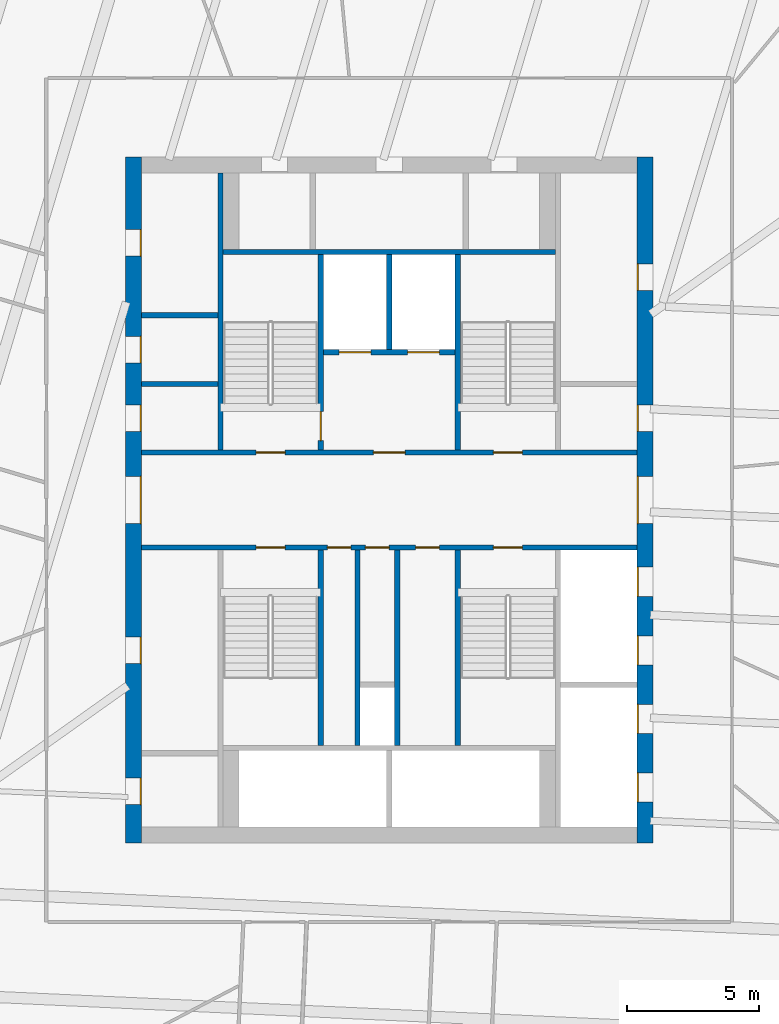
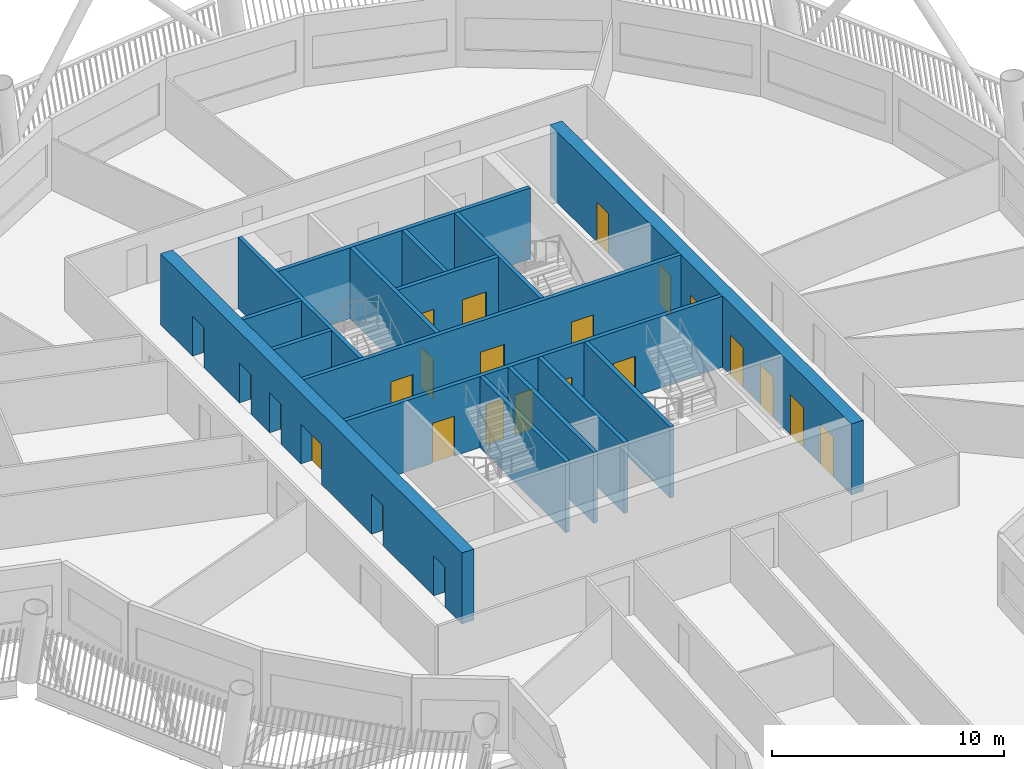
# One storey, part 5 of 24: 24 doors, 16 walls, 24 openings.
"""IFC4 building model written with IfcOpenShell, lengths in metres."""

from ifc_helpers import new_model, si_unit, direction, frame, frame_2d, origin, place, context, subcontext, project, spatial, rectangle, extrude, material, layer, layer_set, type_object, element, fill, save


model = new_model("IFC4")

# Units and contexts
model_context = context("Model", 3, precision=1e-05, world=origin(), true_north=direction((0.0, 1.0)))
body_context = subcontext(model_context, "Body", "Model", "MODEL_VIEW")
ifc_project = project(units=[si_unit("LENGTHUNIT", "METRE"), si_unit("AREAUNIT", "SQUARE_METRE"), si_unit("VOLUMEUNIT", "CUBIC_METRE"), si_unit("PLANEANGLEUNIT", "RADIAN"), si_unit("MASSUNIT", "GRAM", prefix="KILO")], contexts=[model_context])

# Site, building, storey
site_placement = place(None, origin())
site = spatial("IfcSite", under=ifc_project, at=site_placement, CompositionType="ELEMENT")
building_placement = place(site_placement, origin())
building = spatial("IfcBuilding", under=site, at=building_placement, Name="Tarsis Ring Headquarters", CompositionType="ELEMENT")
storey_placement = place(building_placement, frame((0.0, 0.0, 216.0)))
storey = spatial("IfcBuildingStorey", under=building, at=storey_placement, Name="L50", CompositionType="ELEMENT", Elevation=216.0)

# Walls
ifc_material_1 = material(Name="Blockwork", Category="masonry")
ifc_layer_1 = layer(ifc_material_1, 0.199951171875)
ifc_layer_set_1 = layer_set([ifc_layer_1], Name="Core blockwork wall 200")
wall_type_1 = type_object("IfcWallType", Name="Core blockwork wall 200", PredefinedType="PARTITIONING", material=ifc_layer_set_1)
for number, where, z_axis, x_axis, name in (
    (1, (-9.39990234375, 4.39990234375, 0.0), (0.0, 0.0, 1.0), (1.0, 0.0, 0.0), "Core partition WD5"),
    (2, (-9.39990234375, 7.0, 0.0), (0.0, 0.0, 1.0), (1.0, 0.0, 0.0), "Core partition WD6"),
):
    element("IfcWall", number, at=place(storey_placement, frame(where, z_axis=z_axis, x_axis=x_axis)), inside=storey, type_object=wall_type_1, Name=name, PredefinedType="PARTITIONING", context=body_context, shape_type="SweptSolid", body=[
        extrude(rectangle(XDim=2.89990234375, YDim=0.199951171875, at=frame_2d((1.449951171875, 0.0))), origin(), (0.0, 0.0, 1.0), 3.739990234375),
    ])
for number, where, z_axis, x_axis, name in (
    (3, (-1.199951171875, -9.300048828125, 0.0), (0.0, 0.0, 1.0), (0.0, 1.0, 0.0), "Core partition SV1"),
    (4, (0.300048828125, -9.300048828125, 0.0), (0.0, 0.0, 1.0), (0.0, 1.0, 0.0), "Core partition SV2"),
):
    element("IfcWall", number, at=place(storey_placement, frame(where, z_axis=z_axis, x_axis=x_axis)), inside=storey, type_object=wall_type_1, Name=name, PredefinedType="PARTITIONING", context=body_context, shape_type="SweptSolid", body=[
        extrude(rectangle(XDim=7.400146484375, YDim=0.199951171875, at=frame_2d((3.7001953125, 0.0))), origin(), (0.0, 0.0, 1.0), 3.739990234375),
    ])

# Wall, openings, doors
ifc_material_2 = material(Name="Concrete C50/60", Category="concrete")
ifc_layer_2 = layer(ifc_material_2, 0.60009765625)
ifc_layer_set_2 = layer_set([ifc_layer_2], Name="Core wall 600 C50/60")
wall_type_2 = type_object("IfcWallType", Name="Core wall 600 C50/60", PredefinedType="SHEAR", material=ifc_layer_set_2)
wall_1_placement = place(storey_placement, frame((-9.699951171875, -13.0, 0.0), z_axis=(0.0, 0.0, 1.0), x_axis=(0.0, 1.0, 0.0)))
wall_1 = element("IfcWall", 5, at=wall_1_placement, inside=storey, type_object=wall_type_2, Name="Core wall OW", PredefinedType="SHEAR", context=body_context, shape_type="SweptSolid", body=[
    extrude(rectangle(XDim=26.0, YDim=0.60009765625, at=frame_2d((13.0, 0.0))), origin(), (0.0, 0.0, 1.0), 3.739990234375),
])
opening_1_placement = place(wall_1_placement, frame((1.449951171875, 0.0, 0.0)))
opening_1 = element("IfcOpeningElement", 6, at=opening_1_placement, cuts=wall_1, Name="Opening L50-C01", PredefinedType="OPENING", context=body_context, shape_type="SweptSolid", body=[
    extrude(rectangle(XDim=1.0, YDim=2.10009765625, at=frame_2d((0.5, 1.050048828125))), frame((0.0, 0.31005859375, 0.0), z_axis=(0.0, -1.0, 0.0), x_axis=(1.0, 0.0, 0.0)), (0.0, 0.0, 1.0), 0.6201171875),
])
opening_2_placement = place(wall_1_placement, frame((6.800048828125, 0.0, 0.0)))
opening_2 = element("IfcOpeningElement", 7, at=opening_2_placement, cuts=wall_1, Name="Opening L50-C02", PredefinedType="OPENING", context=body_context, shape_type="SweptSolid", body=[
    extrude(rectangle(XDim=1.0, YDim=2.10009765625, at=frame_2d((0.5, 1.050048828125))), frame((0.0, 0.31005859375, 0.0), z_axis=(0.0, -1.0, 0.0), x_axis=(1.0, 0.0, 0.0)), (0.0, 0.0, 1.0), 0.6201171875),
])
opening_3_placement = place(wall_1_placement, frame((12.10009765625, 0.0, 0.0)))
opening_3 = element("IfcOpeningElement", 8, at=opening_3_placement, cuts=wall_1, Name="Opening L50-C03", PredefinedType="OPENING", context=body_context, shape_type="SweptSolid", body=[
    extrude(rectangle(XDim=1.800048828125, YDim=2.10009765625, at=frame_2d((0.89990234375, 1.050048828125))), frame((0.0, 0.31005859375, 0.0), z_axis=(0.0, -1.0, 0.0), x_axis=(1.0, 0.0, 0.0)), (0.0, 0.0, 1.0), 0.6201171875),
])
opening_4_placement = place(wall_1_placement, frame((15.60009765625, 0.0, 0.0)))
opening_4 = element("IfcOpeningElement", 9, at=opening_4_placement, cuts=wall_1, Name="Opening L50-C04", PredefinedType="OPENING", context=body_context, shape_type="SweptSolid", body=[
    extrude(rectangle(XDim=1.0, YDim=2.10009765625, at=frame_2d((0.5, 1.050048828125))), frame((0.0, 0.31005859375, 0.0), z_axis=(0.0, -1.0, 0.0), x_axis=(1.0, 0.0, 0.0)), (0.0, 0.0, 1.0), 0.6201171875),
])
opening_5_placement = place(wall_1_placement, frame((18.199951171875, 0.0, 0.0)))
opening_5 = element("IfcOpeningElement", 10, at=opening_5_placement, cuts=wall_1, Name="Opening L50-C05", PredefinedType="OPENING", context=body_context, shape_type="SweptSolid", body=[
    extrude(rectangle(XDim=1.0, YDim=2.10009765625, at=frame_2d((0.5, 1.050048828125))), frame((0.0, 0.31005859375, 0.0), z_axis=(0.0, -1.0, 0.0), x_axis=(1.0, 0.0, 0.0)), (0.0, 0.0, 1.0), 0.6201171875),
])
opening_6_placement = place(wall_1_placement, frame((22.25, 0.0, 0.0)))
opening_6 = element("IfcOpeningElement", 11, at=opening_6_placement, cuts=wall_1, Name="Opening L50-C06", PredefinedType="OPENING", context=body_context, shape_type="SweptSolid", body=[
    extrude(rectangle(XDim=1.0, YDim=2.10009765625, at=frame_2d((0.5, 1.050048828125))), frame((0.0, 0.31005859375, 0.0), z_axis=(0.0, -1.0, 0.0), x_axis=(1.0, 0.0, 0.0)), (0.0, 0.0, 1.0), 0.6201171875),
])
ifc_material_3 = material(Name="Steel S355", Category="steel")
door_type_1 = type_object("IfcDoorType", Name="Core entry door 1800x2100", OperationType="DOUBLE_DOOR_SINGLE_SWING", PredefinedType="DOOR", material=ifc_material_3)
door_1_placement = place(opening_3_placement, origin())
door_1 = element("IfcDoor", 12, at=door_1_placement, inside=storey, type_object=door_type_1, Name="Core entry door L50", OperationType="DOUBLE_DOOR_SINGLE_SWING", OverallHeight=2.10009765625, OverallWidth=1.800048828125, PredefinedType="DOOR", context=body_context, shape_type="SweptSolid", body=[
    extrude(rectangle(XDim=1.800048828125, YDim=2.10009765625, at=frame_2d((0.89990234375, 1.050048828125))), frame((0.0, -0.25, 0.0), z_axis=(0.0, -1.0, 0.0), x_axis=(1.0, 0.0, 0.0)), (0.0, 0.0, 1.0), 0.050048828125),
])
fill(opening_3, door_1)
door_type_2 = type_object("IfcDoorType", Name="Core room door 1000x2100", OperationType="SINGLE_SWING_LEFT", PredefinedType="DOOR", material=ifc_material_3)
door_2_placement = place(opening_1_placement, origin())
door_2 = element("IfcDoor", 13, at=door_2_placement, inside=storey, type_object=door_type_2, Name="Core room door L50", OperationType="SINGLE_SWING_LEFT", OverallHeight=2.10009765625, OverallWidth=1.0, PredefinedType="DOOR", context=body_context, shape_type="SweptSolid", body=[
    extrude(rectangle(XDim=1.0, YDim=2.10009765625, at=frame_2d((0.5, 1.050048828125))), frame((0.0, -0.25, 0.0), z_axis=(0.0, -1.0, 0.0), x_axis=(1.0, 0.0, 0.0)), (0.0, 0.0, 1.0), 0.050048828125),
])
fill(opening_1, door_2)
door_3_placement = place(opening_2_placement, origin())
door_3 = element("IfcDoor", 14, at=door_3_placement, inside=storey, type_object=door_type_2, Name="Core room door L50", OperationType="SINGLE_SWING_LEFT", OverallHeight=2.10009765625, OverallWidth=1.0, PredefinedType="DOOR", context=body_context, shape_type="SweptSolid", body=[
    extrude(rectangle(XDim=1.0, YDim=2.10009765625, at=frame_2d((0.5, 1.050048828125))), frame((0.0, -0.25, 0.0), z_axis=(0.0, -1.0, 0.0), x_axis=(1.0, 0.0, 0.0)), (0.0, 0.0, 1.0), 0.050048828125),
])
fill(opening_2, door_3)
door_4_placement = place(opening_4_placement, origin())
door_4 = element("IfcDoor", 15, at=door_4_placement, inside=storey, type_object=door_type_2, Name="Core room door L50", OperationType="SINGLE_SWING_LEFT", OverallHeight=2.10009765625, OverallWidth=1.0, PredefinedType="DOOR", context=body_context, shape_type="SweptSolid", body=[
    extrude(rectangle(XDim=1.0, YDim=2.10009765625, at=frame_2d((0.5, 1.050048828125))), frame((0.0, -0.25, 0.0), z_axis=(0.0, -1.0, 0.0), x_axis=(1.0, 0.0, 0.0)), (0.0, 0.0, 1.0), 0.050048828125),
])
fill(opening_4, door_4)
door_5_placement = place(opening_5_placement, origin())
door_5 = element("IfcDoor", 16, at=door_5_placement, inside=storey, type_object=door_type_2, Name="Core room door L50", OperationType="SINGLE_SWING_LEFT", OverallHeight=2.10009765625, OverallWidth=1.0, PredefinedType="DOOR", context=body_context, shape_type="SweptSolid", body=[
    extrude(rectangle(XDim=1.0, YDim=2.10009765625, at=frame_2d((0.5, 1.050048828125))), frame((0.0, -0.25, 0.0), z_axis=(0.0, -1.0, 0.0), x_axis=(1.0, 0.0, 0.0)), (0.0, 0.0, 1.0), 0.050048828125),
])
fill(opening_5, door_5)
door_6_placement = place(opening_6_placement, origin())
door_6 = element("IfcDoor", 17, at=door_6_placement, inside=storey, type_object=door_type_2, Name="Core room door L50", OperationType="SINGLE_SWING_LEFT", OverallHeight=2.10009765625, OverallWidth=1.0, PredefinedType="DOOR", context=body_context, shape_type="SweptSolid", body=[
    extrude(rectangle(XDim=1.0, YDim=2.10009765625, at=frame_2d((0.5, 1.050048828125))), frame((0.0, -0.25, 0.0), z_axis=(0.0, -1.0, 0.0), x_axis=(1.0, 0.0, 0.0)), (0.0, 0.0, 1.0), 0.050048828125),
])
fill(opening_6, door_6)

wall_2_placement = place(storey_placement, frame((9.699951171875, -13.0, 0.0), z_axis=(0.0, 0.0, 1.0), x_axis=(0.0, 1.0, 0.0)))
wall_2 = element("IfcWall", 18, at=wall_2_placement, inside=storey, type_object=wall_type_2, Name="Core wall OE", PredefinedType="SHEAR", context=body_context, shape_type="SweptSolid", body=[
    extrude(rectangle(XDim=26.0, YDim=0.60009765625, at=frame_2d((13.0, 0.0))), origin(), (0.0, 0.0, 1.0), 3.739990234375),
])
opening_7_placement = place(wall_2_placement, frame((1.550048828125, 0.0, 0.0)))
opening_7 = element("IfcOpeningElement", 19, at=opening_7_placement, cuts=wall_2, Name="Opening LD-MR1", PredefinedType="OPENING", context=body_context, shape_type="SweptSolid", body=[
    extrude(rectangle(XDim=1.10009765625, YDim=2.10009765625, at=frame_2d((0.550048828125, 1.050048828125))), frame((0.0, 0.31005859375, 0.0), z_axis=(0.0, -1.0, 0.0), x_axis=(1.0, 0.0, 0.0)), (0.0, 0.0, 1.0), 0.6201171875),
])
opening_8_placement = place(wall_2_placement, frame((4.14990234375, 0.0, 0.0)))
opening_8 = element("IfcOpeningElement", 20, at=opening_8_placement, cuts=wall_2, Name="Opening LD-MR2", PredefinedType="OPENING", context=body_context, shape_type="SweptSolid", body=[
    extrude(rectangle(XDim=1.10009765625, YDim=2.10009765625, at=frame_2d((0.550048828125, 1.050048828125))), frame((0.0, 0.31005859375, 0.0), z_axis=(0.0, -1.0, 0.0), x_axis=(1.0, 0.0, 0.0)), (0.0, 0.0, 1.0), 0.6201171875),
])
opening_9_placement = place(wall_2_placement, frame((6.75, 0.0, 0.0)))
opening_9 = element("IfcOpeningElement", 21, at=opening_9_placement, cuts=wall_2, Name="Opening LD-MR3", PredefinedType="OPENING", context=body_context, shape_type="SweptSolid", body=[
    extrude(rectangle(XDim=1.10009765625, YDim=2.10009765625, at=frame_2d((0.550048828125, 1.050048828125))), frame((0.0, 0.31005859375, 0.0), z_axis=(0.0, -1.0, 0.0), x_axis=(1.0, 0.0, 0.0)), (0.0, 0.0, 1.0), 0.6201171875),
])
opening_10_placement = place(wall_2_placement, frame((9.35009765625, 0.0, 0.0)))
opening_10 = element("IfcOpeningElement", 22, at=opening_10_placement, cuts=wall_2, Name="Opening LD-MR4", PredefinedType="OPENING", context=body_context, shape_type="SweptSolid", body=[
    extrude(rectangle(XDim=1.10009765625, YDim=2.10009765625, at=frame_2d((0.550048828125, 1.050048828125))), frame((0.0, 0.31005859375, 0.0), z_axis=(0.0, -1.0, 0.0), x_axis=(1.0, 0.0, 0.0)), (0.0, 0.0, 1.0), 0.6201171875),
])
opening_11_placement = place(wall_2_placement, frame((12.10009765625, 0.0, 0.0)))
opening_11 = element("IfcOpeningElement", 23, at=opening_11_placement, cuts=wall_2, Name="Opening L50-C11", PredefinedType="OPENING", context=body_context, shape_type="SweptSolid", body=[
    extrude(rectangle(XDim=1.800048828125, YDim=2.10009765625, at=frame_2d((0.89990234375, 1.050048828125))), frame((0.0, 0.31005859375, 0.0), z_axis=(0.0, -1.0, 0.0), x_axis=(1.0, 0.0, 0.0)), (0.0, 0.0, 1.0), 0.6201171875),
])
opening_12_placement = place(wall_2_placement, frame((15.60009765625, 0.0, 0.0)))
opening_12 = element("IfcOpeningElement", 24, at=opening_12_placement, cuts=wall_2, Name="Opening L50-C12", PredefinedType="OPENING", context=body_context, shape_type="SweptSolid", body=[
    extrude(rectangle(XDim=1.0, YDim=2.10009765625, at=frame_2d((0.5, 1.050048828125))), frame((0.0, 0.31005859375, 0.0), z_axis=(0.0, -1.0, 0.0), x_axis=(1.0, 0.0, 0.0)), (0.0, 0.0, 1.0), 0.6201171875),
])
opening_13_placement = place(wall_2_placement, frame((20.949951171875, 0.0, 0.0)))
opening_13 = element("IfcOpeningElement", 25, at=opening_13_placement, cuts=wall_2, Name="Opening L50-C13", PredefinedType="OPENING", context=body_context, shape_type="SweptSolid", body=[
    extrude(rectangle(XDim=1.0, YDim=2.10009765625, at=frame_2d((0.5, 1.050048828125))), frame((0.0, 0.31005859375, 0.0), z_axis=(0.0, -1.0, 0.0), x_axis=(1.0, 0.0, 0.0)), (0.0, 0.0, 1.0), 0.6201171875),
])
door_7_placement = place(opening_11_placement, origin())
door_7 = element("IfcDoor", 26, at=door_7_placement, inside=storey, type_object=door_type_1, Name="Core entry door L50", OperationType="DOUBLE_DOOR_SINGLE_SWING", OverallHeight=2.10009765625, OverallWidth=1.800048828125, PredefinedType="DOOR", context=body_context, shape_type="SweptSolid", body=[
    extrude(rectangle(XDim=1.800048828125, YDim=2.10009765625, at=frame_2d((0.89990234375, 1.050048828125))), frame((0.0, 0.2998046875, 0.0), z_axis=(0.0, -1.0, 0.0), x_axis=(1.0, 0.0, 0.0)), (0.0, 0.0, 1.0), 0.050048828125),
])
fill(opening_11, door_7)
door_8_placement = place(opening_12_placement, origin())
door_8 = element("IfcDoor", 27, at=door_8_placement, inside=storey, type_object=door_type_2, Name="Core room door L50", OperationType="SINGLE_SWING_LEFT", OverallHeight=2.10009765625, OverallWidth=1.0, PredefinedType="DOOR", context=body_context, shape_type="SweptSolid", body=[
    extrude(rectangle(XDim=1.0, YDim=2.10009765625, at=frame_2d((0.5, 1.050048828125))), frame((0.0, 0.2998046875, 0.0), z_axis=(0.0, -1.0, 0.0), x_axis=(1.0, 0.0, 0.0)), (0.0, 0.0, 1.0), 0.050048828125),
])
fill(opening_12, door_8)
door_9_placement = place(opening_13_placement, origin())
door_9 = element("IfcDoor", 28, at=door_9_placement, inside=storey, type_object=door_type_2, Name="Core room door L50", OperationType="SINGLE_SWING_LEFT", OverallHeight=2.10009765625, OverallWidth=1.0, PredefinedType="DOOR", context=body_context, shape_type="SweptSolid", body=[
    extrude(rectangle(XDim=1.0, YDim=2.10009765625, at=frame_2d((0.5, 1.050048828125))), frame((0.0, 0.2998046875, 0.0), z_axis=(0.0, -1.0, 0.0), x_axis=(1.0, 0.0, 0.0)), (0.0, 0.0, 1.0), 0.050048828125),
])
fill(opening_13, door_9)
door_type_3 = type_object("IfcDoorType", Name="Landing door 1100x2100", OperationType="SLIDING_TO_LEFT", PredefinedType="DOOR", material=ifc_material_3)
door_10_placement = place(opening_7_placement, origin())
door_10 = element("IfcDoor", 29, at=door_10_placement, inside=storey, type_object=door_type_3, Name="Landing door MR1 L50", OperationType="SLIDING_TO_LEFT", OverallHeight=2.10009765625, OverallWidth=1.10009765625, PredefinedType="DOOR", context=body_context, shape_type="SweptSolid", body=[
    extrude(rectangle(XDim=1.10009765625, YDim=2.10009765625, at=frame_2d((0.550048828125, 1.050048828125))), frame((0.0, 0.2998046875, 0.0), z_axis=(0.0, -1.0, 0.0), x_axis=(1.0, 0.0, 0.0)), (0.0, 0.0, 1.0), 0.050048828125),
])
fill(opening_7, door_10)
door_11_placement = place(opening_8_placement, origin())
door_11 = element("IfcDoor", 30, at=door_11_placement, inside=storey, type_object=door_type_3, Name="Landing door MR2 L50", OperationType="SLIDING_TO_LEFT", OverallHeight=2.10009765625, OverallWidth=1.10009765625, PredefinedType="DOOR", context=body_context, shape_type="SweptSolid", body=[
    extrude(rectangle(XDim=1.10009765625, YDim=2.10009765625, at=frame_2d((0.550048828125, 1.050048828125))), frame((0.0, 0.2998046875, 0.0), z_axis=(0.0, -1.0, 0.0), x_axis=(1.0, 0.0, 0.0)), (0.0, 0.0, 1.0), 0.050048828125),
])
fill(opening_8, door_11)
door_12_placement = place(opening_9_placement, origin())
door_12 = element("IfcDoor", 31, at=door_12_placement, inside=storey, type_object=door_type_3, Name="Landing door MR3 L50", OperationType="SLIDING_TO_LEFT", OverallHeight=2.10009765625, OverallWidth=1.10009765625, PredefinedType="DOOR", context=body_context, shape_type="SweptSolid", body=[
    extrude(rectangle(XDim=1.10009765625, YDim=2.10009765625, at=frame_2d((0.550048828125, 1.050048828125))), frame((0.0, 0.2998046875, 0.0), z_axis=(0.0, -1.0, 0.0), x_axis=(1.0, 0.0, 0.0)), (0.0, 0.0, 1.0), 0.050048828125),
])
fill(opening_9, door_12)
door_13_placement = place(opening_10_placement, origin())
door_13 = element("IfcDoor", 32, at=door_13_placement, inside=storey, type_object=door_type_3, Name="Landing door MR4 L50", OperationType="SLIDING_TO_LEFT", OverallHeight=2.10009765625, OverallWidth=1.10009765625, PredefinedType="DOOR", context=body_context, shape_type="SweptSolid", body=[
    extrude(rectangle(XDim=1.10009765625, YDim=2.10009765625, at=frame_2d((0.550048828125, 1.050048828125))), frame((0.0, 0.2998046875, 0.0), z_axis=(0.0, -1.0, 0.0), x_axis=(1.0, 0.0, 0.0)), (0.0, 0.0, 1.0), 0.050048828125),
])
fill(opening_10, door_13)

ifc_material_4 = material(Name="Concrete C32/40", Category="concrete")
ifc_layer_3 = layer(ifc_material_4, 0.199951171875)
ifc_layer_set_3 = layer_set([ifc_layer_3], Name="Shaft wall 200 C32/40")
wall_type_3 = type_object("IfcWallType", Name="Shaft wall 200 C32/40", PredefinedType="SOLIDWALL", material=ifc_layer_set_3)
wall_3_placement = place(storey_placement, frame((-9.39990234375, 1.800048828125, 0.0), z_axis=(0.0, 0.0, 1.0), x_axis=(1.0, 0.0, 0.0)))
wall_3 = element("IfcWall", 33, at=wall_3_placement, inside=storey, type_object=wall_type_3, Name="Core shaft wall CN", PredefinedType="SOLIDWALL", context=body_context, shape_type="SweptSolid", body=[
    extrude(rectangle(XDim=18.7998046875, YDim=0.199951171875, at=frame_2d((9.39990234375, 0.0))), origin(), (0.0, 0.0, 1.0), 3.739990234375),
])
opening_14_placement = place(wall_3_placement, frame((4.35009765625, 0.0, 0.0)))
opening_14 = element("IfcOpeningElement", 34, at=opening_14_placement, cuts=wall_3, Name="Opening L50-C17", PredefinedType="OPENING", context=body_context, shape_type="SweptSolid", body=[
    extrude(rectangle(XDim=1.10009765625, YDim=2.10009765625, at=frame_2d((0.550048828125, 1.050048828125))), frame((0.0, 0.10986328125, 0.0), z_axis=(0.0, -1.0, 0.0), x_axis=(1.0, 0.0, 0.0)), (0.0, 0.0, 1.0), 0.219970703125),
])
opening_15_placement = place(wall_3_placement, frame((8.800048828125, 0.0, 0.0)))
opening_15 = element("IfcOpeningElement", 35, at=opening_15_placement, cuts=wall_3, Name="Opening L50-C18", PredefinedType="OPENING", context=body_context, shape_type="SweptSolid", body=[
    extrude(rectangle(XDim=1.199951171875, YDim=2.10009765625, at=frame_2d((0.60009765625, 1.050048828125))), frame((0.0, 0.10986328125, 0.0), z_axis=(0.0, -1.0, 0.0), x_axis=(1.0, 0.0, 0.0)), (0.0, 0.0, 1.0), 0.219970703125),
])
opening_16_placement = place(wall_3_placement, frame((13.35009765625, 0.0, 0.0)))
opening_16 = element("IfcOpeningElement", 36, at=opening_16_placement, cuts=wall_3, Name="Opening L50-C19", PredefinedType="OPENING", context=body_context, shape_type="SweptSolid", body=[
    extrude(rectangle(XDim=1.10009765625, YDim=2.10009765625, at=frame_2d((0.550048828125, 1.050048828125))), frame((0.0, 0.10986328125, 0.0), z_axis=(0.0, -1.0, 0.0), x_axis=(1.0, 0.0, 0.0)), (0.0, 0.0, 1.0), 0.219970703125),
])
door_type_4 = type_object("IfcDoorType", Name="Firefighting lobby door 1200x2100", OperationType="DOUBLE_DOOR_SINGLE_SWING", PredefinedType="DOOR", material=ifc_material_3)
door_14_placement = place(opening_15_placement, origin())
door_14 = element("IfcDoor", 37, at=door_14_placement, inside=storey, type_object=door_type_4, Name="Firefighting lobby door L50", OperationType="DOUBLE_DOOR_SINGLE_SWING", OverallHeight=2.10009765625, OverallWidth=1.199951171875, PredefinedType="DOOR", context=body_context, shape_type="SweptSolid", body=[
    extrude(rectangle(XDim=1.199951171875, YDim=2.10009765625, at=frame_2d((0.60009765625, 1.050048828125))), frame((0.0, 0.02490234375, 0.0), z_axis=(0.0, -1.0, 0.0), x_axis=(1.0, 0.0, 0.0)), (0.0, 0.0, 1.0), 0.050048828125),
])
fill(opening_15, door_14)
door_type_5 = type_object("IfcDoorType", Name="Stair door 1100x2100", OperationType="SINGLE_SWING_LEFT", PredefinedType="DOOR", material=ifc_material_3)
door_15_placement = place(opening_14_placement, origin())
door_15 = element("IfcDoor", 38, at=door_15_placement, inside=storey, type_object=door_type_5, Name="Stair door L50", OperationType="SINGLE_SWING_LEFT", OverallHeight=2.10009765625, OverallWidth=1.10009765625, PredefinedType="DOOR", context=body_context, shape_type="SweptSolid", body=[
    extrude(rectangle(XDim=1.10009765625, YDim=2.10009765625, at=frame_2d((0.550048828125, 1.050048828125))), frame((0.0, 0.02490234375, 0.0), z_axis=(0.0, -1.0, 0.0), x_axis=(1.0, 0.0, 0.0)), (0.0, 0.0, 1.0), 0.050048828125),
])
fill(opening_14, door_15)
door_16_placement = place(opening_16_placement, origin())
door_16 = element("IfcDoor", 39, at=door_16_placement, inside=storey, type_object=door_type_5, Name="Stair door L50", OperationType="SINGLE_SWING_LEFT", OverallHeight=2.10009765625, OverallWidth=1.10009765625, PredefinedType="DOOR", context=body_context, shape_type="SweptSolid", body=[
    extrude(rectangle(XDim=1.10009765625, YDim=2.10009765625, at=frame_2d((0.550048828125, 1.050048828125))), frame((0.0, 0.02490234375, 0.0), z_axis=(0.0, -1.0, 0.0), x_axis=(1.0, 0.0, 0.0)), (0.0, 0.0, 1.0), 0.050048828125),
])
fill(opening_16, door_16)

wall_4_placement = place(storey_placement, frame((-9.39990234375, -1.800048828125, 0.0), z_axis=(0.0, 0.0, 1.0), x_axis=(1.0, 0.0, 0.0)))
wall_4 = element("IfcWall", 40, at=wall_4_placement, inside=storey, type_object=wall_type_3, Name="Core shaft wall CS", PredefinedType="SOLIDWALL", context=body_context, shape_type="SweptSolid", body=[
    extrude(rectangle(XDim=18.7998046875, YDim=0.199951171875, at=frame_2d((9.39990234375, 0.0))), origin(), (0.0, 0.0, 1.0), 3.739990234375),
])
opening_17_placement = place(wall_4_placement, frame((4.35009765625, 0.0, 0.0)))
opening_17 = element("IfcOpeningElement", 41, at=opening_17_placement, cuts=wall_4, Name="Opening L50-C20", PredefinedType="OPENING", context=body_context, shape_type="SweptSolid", body=[
    extrude(rectangle(XDim=1.10009765625, YDim=2.10009765625, at=frame_2d((0.550048828125, 1.050048828125))), frame((0.0, 0.10986328125, 0.0), z_axis=(0.0, -1.0, 0.0), x_axis=(1.0, 0.0, 0.0)), (0.0, 0.0, 1.0), 0.219970703125),
])
opening_18_placement = place(wall_4_placement, frame((7.050048828125, 0.0, 0.0)))
opening_18 = element("IfcOpeningElement", 42, at=opening_18_placement, cuts=wall_4, Name="Opening L50-C21", PredefinedType="OPENING", context=body_context, shape_type="SweptSolid", body=[
    extrude(rectangle(XDim=0.89990234375, YDim=2.10009765625, at=frame_2d((0.449951171875, 1.050048828125))), frame((0.0, 0.10986328125, 0.0), z_axis=(0.0, -1.0, 0.0), x_axis=(1.0, 0.0, 0.0)), (0.0, 0.0, 1.0), 0.219970703125),
])
opening_19_placement = place(wall_4_placement, frame((8.5, 0.0, 0.0)))
opening_19 = element("IfcOpeningElement", 43, at=opening_19_placement, cuts=wall_4, Name="Opening L50-C22", PredefinedType="OPENING", context=body_context, shape_type="SweptSolid", body=[
    extrude(rectangle(XDim=0.89990234375, YDim=2.10009765625, at=frame_2d((0.449951171875, 1.050048828125))), frame((0.0, 0.10986328125, 0.0), z_axis=(0.0, -1.0, 0.0), x_axis=(1.0, 0.0, 0.0)), (0.0, 0.0, 1.0), 0.219970703125),
])
opening_20_placement = place(wall_4_placement, frame((10.39990234375, 0.0, 0.0)))
opening_20 = element("IfcOpeningElement", 44, at=opening_20_placement, cuts=wall_4, Name="Opening L50-C23", PredefinedType="OPENING", context=body_context, shape_type="SweptSolid", body=[
    extrude(rectangle(XDim=0.89990234375, YDim=2.10009765625, at=frame_2d((0.449951171875, 1.050048828125))), frame((0.0, 0.10986328125, 0.0), z_axis=(0.0, -1.0, 0.0), x_axis=(1.0, 0.0, 0.0)), (0.0, 0.0, 1.0), 0.219970703125),
])
opening_21_placement = place(wall_4_placement, frame((13.35009765625, 0.0, 0.0)))
opening_21 = element("IfcOpeningElement", 45, at=opening_21_placement, cuts=wall_4, Name="Opening L50-C24", PredefinedType="OPENING", context=body_context, shape_type="SweptSolid", body=[
    extrude(rectangle(XDim=1.10009765625, YDim=2.10009765625, at=frame_2d((0.550048828125, 1.050048828125))), frame((0.0, 0.10986328125, 0.0), z_axis=(0.0, -1.0, 0.0), x_axis=(1.0, 0.0, 0.0)), (0.0, 0.0, 1.0), 0.219970703125),
])
door_17_placement = place(opening_17_placement, origin())
door_17 = element("IfcDoor", 46, at=door_17_placement, inside=storey, type_object=door_type_5, Name="Stair door L50", OperationType="SINGLE_SWING_LEFT", OverallHeight=2.10009765625, OverallWidth=1.10009765625, PredefinedType="DOOR", context=body_context, shape_type="SweptSolid", body=[
    extrude(rectangle(XDim=1.10009765625, YDim=2.10009765625, at=frame_2d((0.550048828125, 1.050048828125))), frame((0.0, 0.02490234375, 0.0), z_axis=(0.0, -1.0, 0.0), x_axis=(1.0, 0.0, 0.0)), (0.0, 0.0, 1.0), 0.050048828125),
])
fill(opening_17, door_17)
door_18_placement = place(opening_21_placement, origin())
door_18 = element("IfcDoor", 47, at=door_18_placement, inside=storey, type_object=door_type_5, Name="Stair door L50", OperationType="SINGLE_SWING_LEFT", OverallHeight=2.10009765625, OverallWidth=1.10009765625, PredefinedType="DOOR", context=body_context, shape_type="SweptSolid", body=[
    extrude(rectangle(XDim=1.10009765625, YDim=2.10009765625, at=frame_2d((0.550048828125, 1.050048828125))), frame((0.0, 0.02490234375, 0.0), z_axis=(0.0, -1.0, 0.0), x_axis=(1.0, 0.0, 0.0)), (0.0, 0.0, 1.0), 0.050048828125),
])
fill(opening_21, door_18)
door_type_6 = type_object("IfcDoorType", Name="WC door 900x2100", OperationType="SINGLE_SWING_LEFT", PredefinedType="DOOR", material=ifc_material_3)
door_19_placement = place(opening_18_placement, origin())
door_19 = element("IfcDoor", 48, at=door_19_placement, inside=storey, type_object=door_type_6, Name="WC door L50", OperationType="SINGLE_SWING_LEFT", OverallHeight=2.10009765625, OverallWidth=0.89990234375, PredefinedType="DOOR", context=body_context, shape_type="SweptSolid", body=[
    extrude(rectangle(XDim=0.89990234375, YDim=2.10009765625, at=frame_2d((0.449951171875, 1.050048828125))), frame((0.0, 0.02490234375, 0.0), z_axis=(0.0, -1.0, 0.0), x_axis=(1.0, 0.0, 0.0)), (0.0, 0.0, 1.0), 0.050048828125),
])
fill(opening_18, door_19)
door_20_placement = place(opening_19_placement, origin())
door_20 = element("IfcDoor", 49, at=door_20_placement, inside=storey, type_object=door_type_6, Name="WC door L50", OperationType="SINGLE_SWING_LEFT", OverallHeight=2.10009765625, OverallWidth=0.89990234375, PredefinedType="DOOR", context=body_context, shape_type="SweptSolid", body=[
    extrude(rectangle(XDim=0.89990234375, YDim=2.10009765625, at=frame_2d((0.449951171875, 1.050048828125))), frame((0.0, 0.02490234375, 0.0), z_axis=(0.0, -1.0, 0.0), x_axis=(1.0, 0.0, 0.0)), (0.0, 0.0, 1.0), 0.050048828125),
])
fill(opening_19, door_20)
door_21_placement = place(opening_20_placement, origin())
door_21 = element("IfcDoor", 50, at=door_21_placement, inside=storey, type_object=door_type_6, Name="WC door L50", OperationType="SINGLE_SWING_LEFT", OverallHeight=2.10009765625, OverallWidth=0.89990234375, PredefinedType="DOOR", context=body_context, shape_type="SweptSolid", body=[
    extrude(rectangle(XDim=0.89990234375, YDim=2.10009765625, at=frame_2d((0.449951171875, 1.050048828125))), frame((0.0, 0.02490234375, 0.0), z_axis=(0.0, -1.0, 0.0), x_axis=(1.0, 0.0, 0.0)), (0.0, 0.0, 1.0), 0.050048828125),
])
fill(opening_20, door_21)

# Walls
wall_5_placement = place(storey_placement, frame((-6.39990234375, 1.89990234375, 0.0), z_axis=(0.0, 0.0, 1.0), x_axis=(0.0, 1.0, 0.0)))
element("IfcWall", 51, at=wall_5_placement, inside=storey, type_object=wall_type_3, Name="Core shaft wall WB2", PredefinedType="SOLIDWALL", context=body_context, shape_type="SweptSolid", body=[
    extrude(rectangle(XDim=10.5, YDim=0.199951171875, at=frame_2d((5.25, 0.0))), origin(), (0.0, 0.0, 1.0), 3.739990234375),
])
wall_6_placement = place(storey_placement, frame((-6.300048828125, 9.39990234375, 0.0), z_axis=(0.0, 0.0, 1.0), x_axis=(1.0, 0.0, 0.0)))
element("IfcWall", 52, at=wall_6_placement, inside=storey, type_object=wall_type_3, Name="Core shaft wall NB", PredefinedType="SOLIDWALL", context=body_context, shape_type="SweptSolid", body=[
    extrude(rectangle(XDim=12.60009765625, YDim=0.199951171875, at=frame_2d((6.300048828125, 0.0))), origin(), (0.0, 0.0, 1.0), 3.739990234375),
])

# Wall, opening, door
wall_7_placement = place(storey_placement, frame((-2.60009765625, 1.89990234375, 0.0), z_axis=(0.0, 0.0, 1.0), x_axis=(0.0, 1.0, 0.0)))
wall_7 = element("IfcWall", 53, at=wall_7_placement, inside=storey, type_object=wall_type_3, Name="Core shaft wall SW1", PredefinedType="SOLIDWALL", context=body_context, shape_type="SweptSolid", body=[
    extrude(rectangle(XDim=7.400146484375, YDim=0.199951171875, at=frame_2d((3.7001953125, 0.0))), origin(), (0.0, 0.0, 1.0), 3.739990234375),
])
opening_22_placement = place(wall_7_placement, frame((0.35009765625, 0.0, 0.0)))
opening_22 = element("IfcOpeningElement", 54, at=opening_22_placement, cuts=wall_7, Name="Opening L50-C25", PredefinedType="OPENING", context=body_context, shape_type="SweptSolid", body=[
    extrude(rectangle(XDim=1.10009765625, YDim=2.10009765625, at=frame_2d((0.550048828125, 1.050048828125))), frame((0.0, 0.10986328125, 0.0), z_axis=(0.0, -1.0, 0.0), x_axis=(1.0, 0.0, 0.0)), (0.0, 0.0, 1.0), 0.219970703125),
])
door_22_placement = place(opening_22_placement, origin())
door_22 = element("IfcDoor", 55, at=door_22_placement, inside=storey, type_object=door_type_5, Name="Stair door L50", OperationType="SINGLE_SWING_LEFT", OverallHeight=2.10009765625, OverallWidth=1.10009765625, PredefinedType="DOOR", context=body_context, shape_type="SweptSolid", body=[
    extrude(rectangle(XDim=1.10009765625, YDim=2.10009765625, at=frame_2d((0.550048828125, 1.050048828125))), frame((0.0, 0.02490234375, 0.0), z_axis=(0.0, -1.0, 0.0), x_axis=(1.0, 0.0, 0.0)), (0.0, 0.0, 1.0), 0.050048828125),
])
fill(opening_22, door_22)

# Walls
for number, where, z_axis, x_axis, name in (
    (56, (2.60009765625, 1.89990234375, 0.0), (0.0, 0.0, 1.0), (0.0, 1.0, 0.0), "Core shaft wall SW2"),
    (57, (-2.60009765625, -9.300048828125, 0.0), (0.0, 0.0, 1.0), (0.0, 1.0, 0.0), "Core shaft wall SW3"),
    (58, (2.60009765625, -9.300048828125, 0.0), (0.0, 0.0, 1.0), (0.0, 1.0, 0.0), "Core shaft wall SW4"),
):
    element("IfcWall", number, at=place(storey_placement, frame(where, z_axis=z_axis, x_axis=x_axis)), inside=storey, type_object=wall_type_3, Name=name, PredefinedType="SOLIDWALL", context=body_context, shape_type="SweptSolid", body=[
        extrude(rectangle(XDim=7.400146484375, YDim=0.199951171875, at=frame_2d((3.7001953125, 0.0))), origin(), (0.0, 0.0, 1.0), 3.739990234375),
    ])

# Wall, openings, doors
wall_8_placement = place(storey_placement, frame((-2.5, 5.60009765625, 0.0), z_axis=(0.0, 0.0, 1.0), x_axis=(1.0, 0.0, 0.0)))
wall_8 = element("IfcWall", 59, at=wall_8_placement, inside=storey, type_object=wall_type_3, Name="Core shaft wall FFN", PredefinedType="SOLIDWALL", context=body_context, shape_type="SweptSolid", body=[
    extrude(rectangle(XDim=5.0, YDim=0.199951171875, at=frame_2d((2.5, 0.0))), origin(), (0.0, 0.0, 1.0), 3.739990234375),
])
opening_23_placement = place(wall_8_placement, frame((0.60009765625, 0.0, 0.0)))
opening_23 = element("IfcOpeningElement", 60, at=opening_23_placement, cuts=wall_8, Name="Opening LDF-1", PredefinedType="OPENING", context=body_context, shape_type="SweptSolid", body=[
    extrude(rectangle(XDim=1.199951171875, YDim=2.10009765625, at=frame_2d((0.60009765625, 1.050048828125))), frame((0.0, 0.10986328125, 0.0), z_axis=(0.0, -1.0, 0.0), x_axis=(1.0, 0.0, 0.0)), (0.0, 0.0, 1.0), 0.219970703125),
])
opening_24_placement = place(wall_8_placement, frame((3.199951171875, 0.0, 0.0)))
opening_24 = element("IfcOpeningElement", 61, at=opening_24_placement, cuts=wall_8, Name="Opening LDF-2", PredefinedType="OPENING", context=body_context, shape_type="SweptSolid", body=[
    extrude(rectangle(XDim=1.199951171875, YDim=2.10009765625, at=frame_2d((0.60009765625, 1.050048828125))), frame((0.0, 0.10986328125, 0.0), z_axis=(0.0, -1.0, 0.0), x_axis=(1.0, 0.0, 0.0)), (0.0, 0.0, 1.0), 0.219970703125),
])
door_type_7 = type_object("IfcDoorType", Name="Firefighting landing door 1200x2100", OperationType="SLIDING_TO_LEFT", PredefinedType="DOOR", material=ifc_material_3)
door_23_placement = place(opening_23_placement, origin())
door_23 = element("IfcDoor", 62, at=door_23_placement, inside=storey, type_object=door_type_7, Name="Landing door FF1 L50", OperationType="SLIDING_TO_LEFT", OverallHeight=2.10009765625, OverallWidth=1.199951171875, PredefinedType="DOOR", context=body_context, shape_type="SweptSolid", body=[
    extrude(rectangle(XDim=1.199951171875, YDim=2.10009765625, at=frame_2d((0.60009765625, 1.050048828125))), frame((0.0, 0.02490234375, 0.0), z_axis=(0.0, -1.0, 0.0), x_axis=(1.0, 0.0, 0.0)), (0.0, 0.0, 1.0), 0.050048828125),
])
fill(opening_23, door_23)
door_24_placement = place(opening_24_placement, origin())
door_24 = element("IfcDoor", 63, at=door_24_placement, inside=storey, type_object=door_type_7, Name="Landing door FF2 L50", OperationType="SLIDING_TO_LEFT", OverallHeight=2.10009765625, OverallWidth=1.199951171875, PredefinedType="DOOR", context=body_context, shape_type="SweptSolid", body=[
    extrude(rectangle(XDim=1.199951171875, YDim=2.10009765625, at=frame_2d((0.60009765625, 1.050048828125))), frame((0.0, 0.02490234375, 0.0), z_axis=(0.0, -1.0, 0.0), x_axis=(1.0, 0.0, 0.0)), (0.0, 0.0, 1.0), 0.050048828125),
])
fill(opening_24, door_24)

# Wall
wall_9_placement = place(storey_placement, frame((0.0, 5.699951171875, 0.0), z_axis=(0.0, 0.0, 1.0), x_axis=(0.0, 1.0, 0.0)))
element("IfcWall", 64, at=wall_9_placement, inside=storey, type_object=wall_type_3, Name="Core shaft wall FFD", PredefinedType="SOLIDWALL", context=body_context, shape_type="SweptSolid", body=[
    extrude(rectangle(XDim=3.60009765625, YDim=0.199951171875, at=frame_2d((1.800048828125, 0.0))), origin(), (0.0, 0.0, 1.0), 3.739990234375),
])

save(model, "model.ifc")
